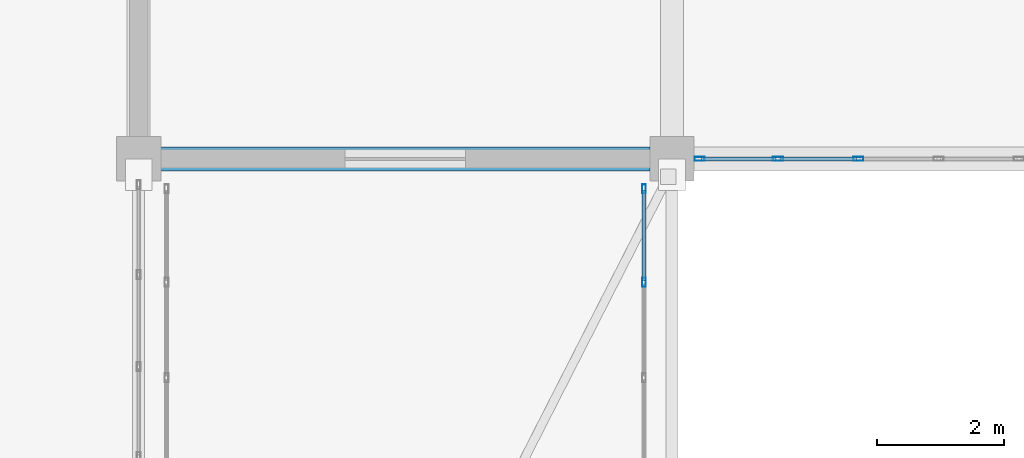
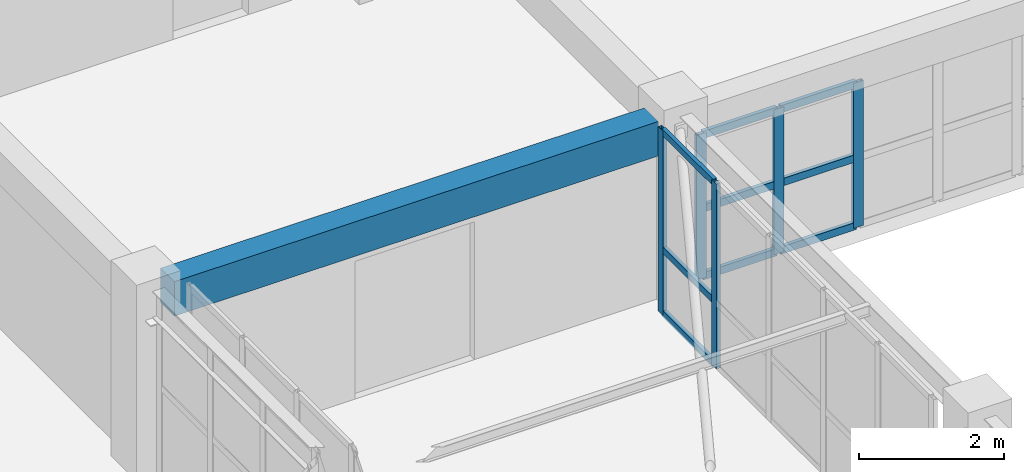
# One storey, part 41 of 148: 14 members, 1 beam, 2 elements without a shape of their own.
"""IFC4 building model written with IfcOpenShell, lengths in metres."""

from ifc_helpers import new_model, si_unit, direction, frame, origin, origin_2d, place, context, subcontext, project, spatial, rectangle, hollow_rectangle, extrude, material, layer, layer_set, material_profile, profile_set, type_object, element, aggregate, save


model = new_model("IFC4")

# Units and contexts
model_context = context("Model", 3, precision=1e-05, world=origin(), true_north=direction((0.0, 1.0)))
body_context = subcontext(model_context, "Body", "Model", "MODEL_VIEW")
ifc_project = project(units=[si_unit("LENGTHUNIT", "METRE"), si_unit("AREAUNIT", "SQUARE_METRE"), si_unit("VOLUMEUNIT", "CUBIC_METRE"), si_unit("PLANEANGLEUNIT", "RADIAN"), si_unit("MASSUNIT", "GRAM", prefix="KILO")], contexts=[model_context])

# Site, building, storey
site_placement = place(None, origin())
site = spatial("IfcSite", under=ifc_project, at=site_placement, CompositionType="ELEMENT")
building_placement = place(site_placement, origin())
building = spatial("IfcBuilding", under=site, at=building_placement, Name="Trelvath General Hospital", CompositionType="ELEMENT")
storey_placement = place(building_placement, frame((0.0, 0.0, 12.89990234375)))
storey = spatial("IfcBuildingStorey", under=building, at=storey_placement, Name="L03", CompositionType="ELEMENT", Elevation=12.89990234375)

# Beam
ifc_material_1 = material(Name="Concrete C35/45", Category="concrete")
ifc_material_profile_1 = material_profile(ifc_material_1, rectangle(XDim=0.3798828125, YDim=0.580078125, at=origin_2d()), Name="RCB380x580")
ifc_profile_set_1 = profile_set([ifc_material_profile_1], Name="Concrete C35/45")
beam_type = type_object("IfcBeamType", Name="Beam RC380x580", PredefinedType="BEAM", material=ifc_profile_set_1)
beam_placement = place(storey_placement, frame((75.945068359375, 42.0, 2.72998046875), z_axis=(1.0, 0.0, 0.0), x_axis=(0.0, 1.0, 0.0)))
element("IfcBeam", 1, at=beam_placement, inside=storey, type_object=beam_type, Name="Grid Beam BX-309F", PredefinedType="BEAM", context=body_context, shape_type="SweptSolid", body=[
    extrude(rectangle(XDim=0.3798828125, YDim=0.580078125, at=origin_2d()), origin(), (0.0, 0.0, 1.0), 7.7099609375),
])

# Curtain wall, members
ifc_material_2 = material(Name="Anodised aluminium and low-E glass", Category="aluminium")
ifc_layer_1 = layer(ifc_material_2, 0.139892578125)
ifc_layer_set_1 = layer_set([ifc_layer_1], Name="Anodised aluminium and low-E glass")
curtain_wall_type_1 = type_object("IfcCurtainWallType", Name="CW Bridge 752 311", PredefinedType="USERDEFINED", material=ifc_layer_set_1)
curtain_wall_1_placement = place(storey_placement, origin())
curtain_wall_1 = element("IfcCurtainWall", 2, at=curtain_wall_1_placement, inside=storey, type_object=curtain_wall_type_1, Name="Glazed Bridge Curtain Wall BRG-S-C E L03", ObjectType="Unitised Glazed Curtain Wall", PredefinedType="USERDEFINED")
ifc_material_3 = material(Name="Anodised aluminium", Category="aluminium")
ifc_material_profile_2 = material_profile(ifc_material_3, hollow_rectangle(XDim=0.06005859375, YDim=0.139892578125, WallThickness=0.00390625, at=origin_2d()), Name="RHS60x140x4")
ifc_profile_set_2 = profile_set([ifc_material_profile_2], Name="Anodised aluminium")
member_type_1 = type_object("IfcMemberType", Name="CurtainMullion 60x140", PredefinedType="MULLION", material=ifc_profile_set_2)
member_1_placement = place(storey_placement, frame((83.56005859375, 41.530029296875, 0.0), z_axis=(0.0, 0.0, 1.0), x_axis=(1.0, 0.0, 0.0)))
member_1 = element("IfcMember", 3, at=member_1_placement, type_object=member_type_1, Name="CW-267 mullion 1", PredefinedType="MULLION", context=body_context, shape_type="SweptSolid", body=[
    extrude(hollow_rectangle(XDim=0.06005859375, YDim=0.139892578125, WallThickness=0.00390625, at=origin_2d()), origin(), (0.0, 0.0, 1.0), 3.110107421875),
])
member_2_placement = place(storey_placement, frame((83.56005859375, 40.055908203125, 0.0), z_axis=(0.0, 0.0, 1.0), x_axis=(1.0, 0.0, 0.0)))
member_2 = element("IfcMember", 4, at=member_2_placement, type_object=member_type_1, Name="CW-267 mullion 2", PredefinedType="MULLION", context=body_context, shape_type="SweptSolid", body=[
    extrude(hollow_rectangle(XDim=0.06005859375, YDim=0.139892578125, WallThickness=0.00390625, at=origin_2d()), origin(), (0.0, 0.0, 1.0), 3.110107421875),
])

ifc_material_4 = material(Name="Anodised aluminium and low-E glass", Category="aluminium")
ifc_layer_2 = layer(ifc_material_4, 0.159912109375)
ifc_layer_set_2 = layer_set([ifc_layer_2], Name="Anodised aluminium and low-E glass")
curtain_wall_type_2 = type_object("IfcCurtainWallType", Name="CW Facade 759 244 16", PredefinedType="USERDEFINED", material=ifc_layer_set_2)
curtain_wall_2_placement = place(storey_placement, origin())
curtain_wall_2 = element("IfcCurtainWall", 5, at=curtain_wall_2_placement, inside=storey, type_object=curtain_wall_type_2, Name="Facade Curtain Wall CW-058", ObjectType="Unitised Glazed Curtain Wall", PredefinedType="USERDEFINED")
ifc_material_5 = material(Name="Anodised aluminium", Category="aluminium")
ifc_material_profile_3 = material_profile(ifc_material_5, hollow_rectangle(XDim=0.06005859375, YDim=0.159912109375, WallThickness=0.00390625, at=origin_2d()), Name="RHS60x160x4")
ifc_profile_set_3 = profile_set([ifc_material_profile_3], Name="Anodised aluminium")
member_type_2 = type_object("IfcMemberType", Name="CurtainMullion 60x160", PredefinedType="MULLION", material=ifc_profile_set_3)
member_3_placement = place(storey_placement, frame((86.93505859375, 42.0, 0.0), z_axis=(0.0, 0.0, 1.0), x_axis=(0.0, -1.0, 0.0)))
member_3 = element("IfcMember", 6, at=member_3_placement, type_object=member_type_2, Name="CW-058 mullion 5", PredefinedType="MULLION", context=body_context, shape_type="SweptSolid", body=[
    extrude(hollow_rectangle(XDim=0.06005859375, YDim=0.159912109375, WallThickness=0.00390625, at=origin_2d()), origin(), (0.0, 0.0, 1.0), 2.440185546875),
])
member_4_placement = place(storey_placement, frame((85.669921875, 42.0, 0.0), z_axis=(0.0, 0.0, 1.0), x_axis=(0.0, -1.0, 0.0)))
member_4 = element("IfcMember", 7, at=member_4_placement, type_object=member_type_2, Name="CW-058 mullion 6", PredefinedType="MULLION", context=body_context, shape_type="SweptSolid", body=[
    extrude(hollow_rectangle(XDim=0.06005859375, YDim=0.159912109375, WallThickness=0.00390625, at=origin_2d()), origin(), (0.0, 0.0, 1.0), 2.440185546875),
])
member_5_placement = place(storey_placement, frame((84.43505859375, 42.0, 0.0), z_axis=(0.0, 0.0, 1.0), x_axis=(0.0, -1.0, 0.0)))
member_5 = element("IfcMember", 8, at=member_5_placement, type_object=member_type_2, Name="CW-058 mullion 7", PredefinedType="MULLION", context=body_context, shape_type="SweptSolid", body=[
    extrude(hollow_rectangle(XDim=0.06005859375, YDim=0.159912109375, WallThickness=0.00390625, at=origin_2d()), origin(), (0.0, 0.0, 1.0), 2.440185546875),
])

# Member
ifc_material_6 = material(Name="Anodised aluminium", Category="aluminium")
ifc_material_profile_4 = material_profile(ifc_material_6, hollow_rectangle(XDim=0.06005859375, YDim=0.110107421875, WallThickness=0.00390625, at=origin_2d()), Name="RHS60x110x4")
ifc_profile_set_4 = profile_set([ifc_material_profile_4], Name="Anodised aluminium")
member_type_3 = type_object("IfcMemberType", Name="CurtainTransom 60x110", PredefinedType="USERDEFINED", material=ifc_profile_set_4)
member_6_placement = place(storey_placement, frame((83.56005859375, 41.5, 0.030029296875), z_axis=(0.0, -1.0, 0.0), x_axis=(1.0, 0.0, 0.0)))
member_6 = element("IfcMember", 9, at=member_6_placement, type_object=member_type_3, Name="CW-267 transom 1.1", ObjectType="TRANSOM", PredefinedType="USERDEFINED", context=body_context, shape_type="SweptSolid", body=[
    extrude(hollow_rectangle(XDim=0.06005859375, YDim=0.110107421875, WallThickness=0.00390625, at=origin_2d()), origin(), (0.0, 0.0, 1.0), 1.4140625),
])

member_7_placement = place(storey_placement, frame((83.56005859375, 41.5, 1.10009765625), z_axis=(0.0, -1.0, 0.0), x_axis=(1.0, 0.0, 0.0)))
member_7 = element("IfcMember", 10, at=member_7_placement, type_object=member_type_3, Name="CW-267 transom 1.2", ObjectType="TRANSOM", PredefinedType="USERDEFINED", context=body_context, shape_type="SweptSolid", body=[
    extrude(hollow_rectangle(XDim=0.06005859375, YDim=0.110107421875, WallThickness=0.00390625, at=origin_2d()), origin(), (0.0, 0.0, 1.0), 1.4140625),
])

member_8_placement = place(storey_placement, frame((83.56005859375, 41.5, 3.080078125), z_axis=(0.0, -1.0, 0.0), x_axis=(1.0, 0.0, 0.0)))
member_8 = element("IfcMember", 11, at=member_8_placement, type_object=member_type_3, Name="CW-267 transom 1.3", ObjectType="TRANSOM", PredefinedType="USERDEFINED", context=body_context, shape_type="SweptSolid", body=[
    extrude(hollow_rectangle(XDim=0.06005859375, YDim=0.110107421875, WallThickness=0.00390625, at=origin_2d()), origin(), (0.0, 0.0, 1.0), 1.4140625),
])

aggregate(curtain_wall_1, [member_1, member_2, member_6, member_7, member_8])

ifc_material_7 = material(Name="Anodised aluminium", Category="aluminium")
ifc_material_profile_5 = material_profile(ifc_material_7, hollow_rectangle(XDim=0.06005859375, YDim=0.125, WallThickness=0.00390625, at=origin_2d()), Name="RHS60x125x4")
ifc_profile_set_5 = profile_set([ifc_material_profile_5], Name="Anodised aluminium")
member_type_4 = type_object("IfcMemberType", Name="CurtainTransom 60x125", PredefinedType="USERDEFINED", material=ifc_profile_set_5)
member_9_placement = place(storey_placement, frame((86.905029296875, 42.0, 0.030029296875), z_axis=(-1.0, 0.0, 0.0), x_axis=(0.0, -1.0, 0.0)))
member_9 = element("IfcMember", 12, at=member_9_placement, type_object=member_type_4, Name="CW-058 transom 5.1", ObjectType="TRANSOM", PredefinedType="USERDEFINED", context=body_context, shape_type="SweptSolid", body=[
    extrude(hollow_rectangle(XDim=0.06005859375, YDim=0.125, WallThickness=0.00390625, at=origin_2d()), origin(), (0.0, 0.0, 1.0), 1.205078125),
])

member_10_placement = place(storey_placement, frame((86.905029296875, 42.0, 1.171142578125), z_axis=(-1.0, 0.0, 0.0), x_axis=(0.0, -1.0, 0.0)))
member_10 = element("IfcMember", 13, at=member_10_placement, type_object=member_type_4, Name="CW-058 transom 5.2", ObjectType="TRANSOM", PredefinedType="USERDEFINED", context=body_context, shape_type="SweptSolid", body=[
    extrude(hollow_rectangle(XDim=0.06005859375, YDim=0.125, WallThickness=0.00390625, at=origin_2d()), origin(), (0.0, 0.0, 1.0), 1.205078125),
])

member_11_placement = place(storey_placement, frame((86.905029296875, 42.0, 2.41015625), z_axis=(-1.0, 0.0, 0.0), x_axis=(0.0, -1.0, 0.0)))
member_11 = element("IfcMember", 14, at=member_11_placement, type_object=member_type_4, Name="CW-058 transom 5.3", ObjectType="TRANSOM", PredefinedType="USERDEFINED", context=body_context, shape_type="SweptSolid", body=[
    extrude(hollow_rectangle(XDim=0.06005859375, YDim=0.125, WallThickness=0.00390625, at=origin_2d()), origin(), (0.0, 0.0, 1.0), 1.205078125),
])

member_12_placement = place(storey_placement, frame((85.639892578125, 42.0, 0.030029296875), z_axis=(-1.0, 0.0, 0.0), x_axis=(0.0, -1.0, 0.0)))
member_12 = element("IfcMember", 15, at=member_12_placement, type_object=member_type_4, Name="CW-058 transom 6.1", ObjectType="TRANSOM", PredefinedType="USERDEFINED", context=body_context, shape_type="SweptSolid", body=[
    extrude(hollow_rectangle(XDim=0.06005859375, YDim=0.125, WallThickness=0.00390625, at=origin_2d()), origin(), (0.0, 0.0, 1.0), 1.1748046875),
])

member_13_placement = place(storey_placement, frame((85.639892578125, 42.0, 1.171142578125), z_axis=(-1.0, 0.0, 0.0), x_axis=(0.0, -1.0, 0.0)))
member_13 = element("IfcMember", 16, at=member_13_placement, type_object=member_type_4, Name="CW-058 transom 6.2", ObjectType="TRANSOM", PredefinedType="USERDEFINED", context=body_context, shape_type="SweptSolid", body=[
    extrude(hollow_rectangle(XDim=0.06005859375, YDim=0.125, WallThickness=0.00390625, at=origin_2d()), origin(), (0.0, 0.0, 1.0), 1.1748046875),
])

member_14_placement = place(storey_placement, frame((85.639892578125, 42.0, 2.41015625), z_axis=(-1.0, 0.0, 0.0), x_axis=(0.0, -1.0, 0.0)))
member_14 = element("IfcMember", 17, at=member_14_placement, type_object=member_type_4, Name="CW-058 transom 6.3", ObjectType="TRANSOM", PredefinedType="USERDEFINED", context=body_context, shape_type="SweptSolid", body=[
    extrude(hollow_rectangle(XDim=0.06005859375, YDim=0.125, WallThickness=0.00390625, at=origin_2d()), origin(), (0.0, 0.0, 1.0), 1.1748046875),
])

aggregate(curtain_wall_2, [member_3, member_4, member_5, member_9, member_10, member_11, member_12, member_13, member_14])

save(model, "model.ifc")
